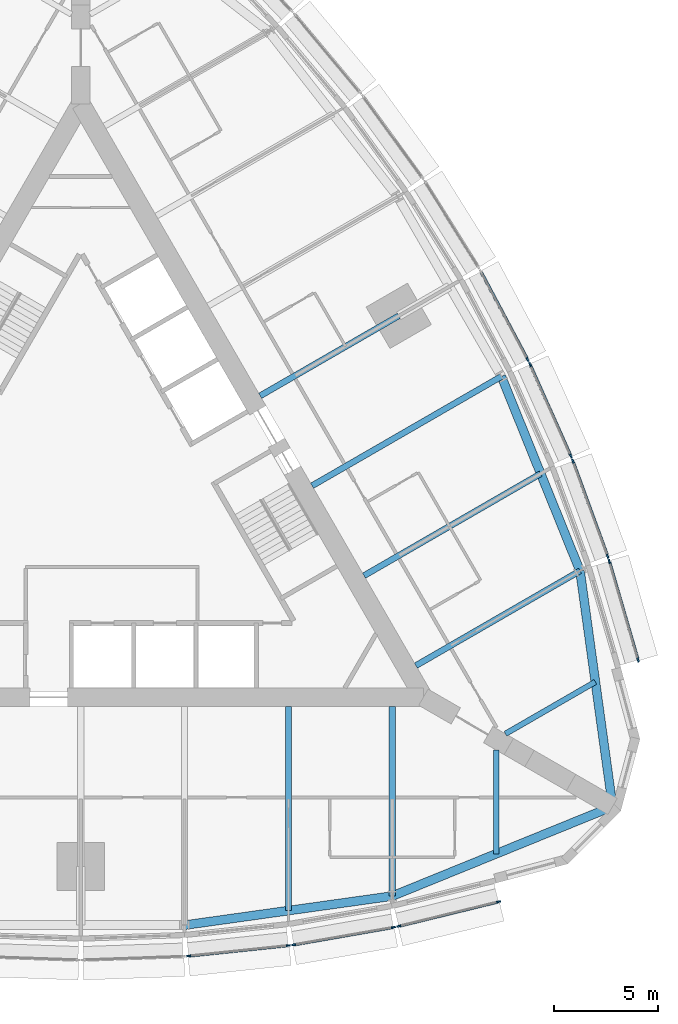
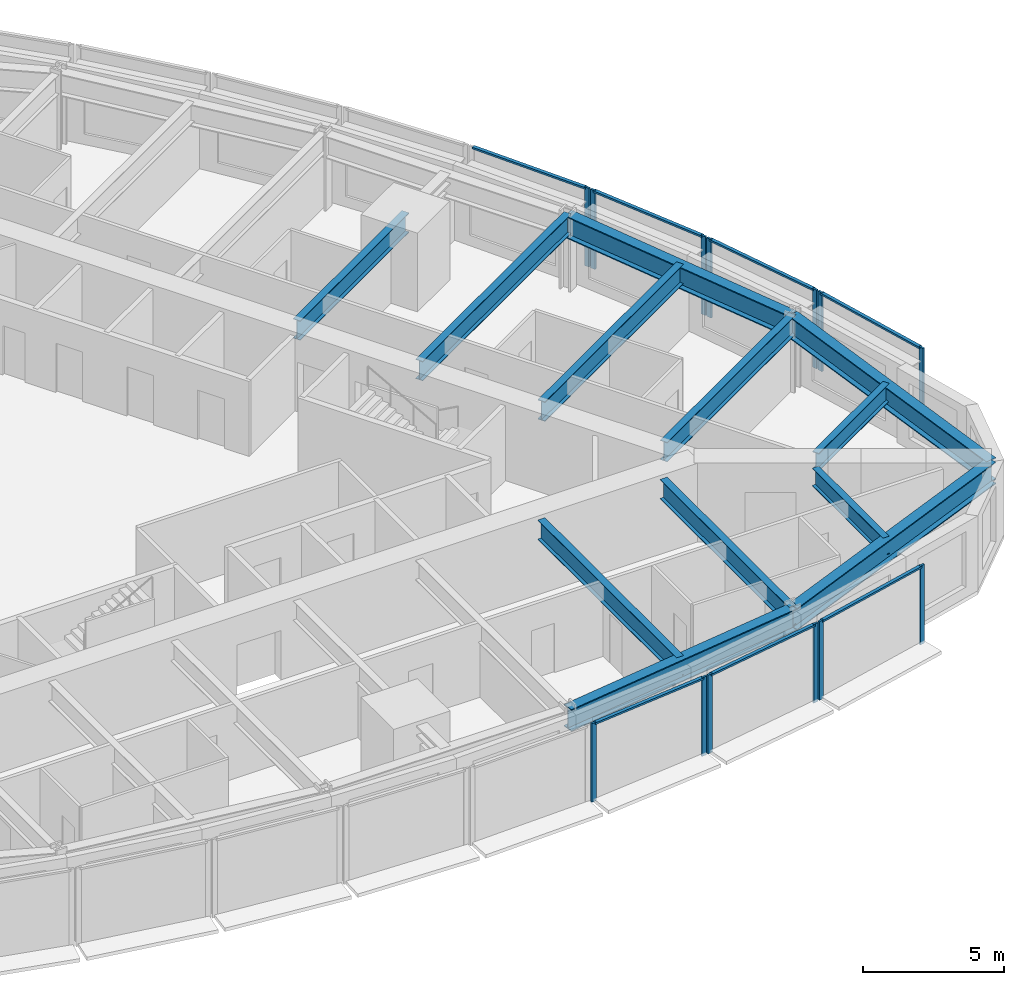
# One storey, part 3 of 14: 20 members, 12 beams, 7 elements without a shape of their own.
"""IFC4 building model written with IfcOpenShell, lengths in metres."""

from ifc_helpers import new_model, si_unit, direction, frame, origin, origin_2d, place, context, subcontext, project, spatial, rectangle, i_section, extrude, material, material_profile, profile_set, type_object, element, aggregate, save


model = new_model("IFC4")

# Units and contexts
model_context = context("Model", 3, precision=1e-05, world=origin(), true_north=direction((0.0, 1.0)))
body_context = subcontext(model_context, "Body", "Model", "MODEL_VIEW")
ifc_project = project(units=[si_unit("LENGTHUNIT", "METRE"), si_unit("AREAUNIT", "SQUARE_METRE"), si_unit("VOLUMEUNIT", "CUBIC_METRE"), si_unit("PLANEANGLEUNIT", "RADIAN"), si_unit("MASSUNIT", "GRAM", prefix="KILO")], contexts=[model_context])

# Site, building, storey
site_placement = place(None, origin())
site = spatial("IfcSite", under=ifc_project, at=site_placement, CompositionType="ELEMENT")
building_placement = place(site_placement, origin())
building = spatial("IfcBuilding", under=site, at=building_placement, Name="Trikona Tower", CompositionType="ELEMENT")
storey_placement = place(building_placement, frame((0.0, 0.0, 182.699951171875)))
storey = spatial("IfcBuildingStorey", under=building, at=storey_placement, Name="L49", CompositionType="ELEMENT", Elevation=182.699951171875)

# Curtain wall, members
ifc_material_1 = material(Name="Aluminium curtain wall system", Category="aluminium")
curtain_wall_type = type_object("IfcCurtainWallType", Name="Curtain wall DS2", PredefinedType="NOTDEFINED", material=ifc_material_1)
curtain_wall_1_placement = place(storey_placement, origin())
curtain_wall_1 = element("IfcCurtainWall", 1, at=curtain_wall_1_placement, inside=storey, type_object=curtain_wall_type, Name="Curtain wall DS2 L49", PredefinedType="NOTDEFINED")
ifc_material_2 = material(Name="Aluminium mullion, pale anodised", Category="aluminium")
ifc_material_profile_1 = material_profile(ifc_material_2, rectangle(XDim=0.080078125, YDim=0.199951171875, at=origin_2d()), Name="MUL-DS2")
ifc_profile_set_1 = profile_set([ifc_material_profile_1], Name="Aluminium mullion, pale anodised")
member_type_1 = type_object("IfcMemberType", Name="Mullion DS2 80x200", PredefinedType="MULLION", material=ifc_profile_set_1)
member_1_placement = place(storey_placement, frame((5.193359375, -21.98486328125, 0.0), z_axis=(0.0, 0.0, 1.0), x_axis=(-0.104433387357, 0.994531883654, 0.0)))
member_1 = element("IfcMember", 2, at=member_1_placement, type_object=member_type_1, Name="CW-DS2 mullion 1", PredefinedType="MULLION", context=body_context, shape_type="SweptSolid", body=[
    extrude(rectangle(XDim=0.080078125, YDim=0.199951171875, at=origin_2d()), origin(), (0.0, 0.0, 1.0), 3.400146484375),
])
member_2_placement = place(storey_placement, frame((9.99462890625, -21.480712890625, 0.0), z_axis=(0.0, 0.0, 1.0), x_axis=(-0.104433387357, 0.994531883654, 0.0)))
member_2 = element("IfcMember", 3, at=member_2_placement, type_object=member_type_1, Name="CW-DS2 mullion 2", PredefinedType="MULLION", context=body_context, shape_type="SweptSolid", body=[
    extrude(rectangle(XDim=0.080078125, YDim=0.199951171875, at=origin_2d()), origin(), (0.0, 0.0, 1.0), 3.400146484375),
])

curtain_wall_2_placement = place(storey_placement, origin())
curtain_wall_2 = element("IfcCurtainWall", 4, at=curtain_wall_2_placement, inside=storey, type_object=curtain_wall_type, Name="Curtain wall DS2 L49", PredefinedType="NOTDEFINED")
member_3_placement = place(storey_placement, frame((10.253662109375, -21.444580078125, 0.0), z_axis=(0.0, 0.0, 1.0), x_axis=(-0.17237739505, 0.985030981074, 0.0)))
member_3 = element("IfcMember", 5, at=member_3_placement, type_object=member_type_1, Name="CW-DS2 mullion 1", PredefinedType="MULLION", context=body_context, shape_type="SweptSolid", body=[
    extrude(rectangle(XDim=0.080078125, YDim=0.199951171875, at=origin_2d()), origin(), (0.0, 0.0, 1.0), 3.400146484375),
])
member_4_placement = place(storey_placement, frame((15.056640625, -20.60400390625, 0.0), z_axis=(0.0, 0.0, 1.0), x_axis=(-0.17237739505, 0.985030981074, 0.0)))
member_4 = element("IfcMember", 6, at=member_4_placement, type_object=member_type_1, Name="CW-DS2 mullion 2", PredefinedType="MULLION", context=body_context, shape_type="SweptSolid", body=[
    extrude(rectangle(XDim=0.080078125, YDim=0.199951171875, at=origin_2d()), origin(), (0.0, 0.0, 1.0), 3.400146484375),
])

curtain_wall_3_placement = place(storey_placement, origin())
curtain_wall_3 = element("IfcCurtainWall", 7, at=curtain_wall_3_placement, inside=storey, type_object=curtain_wall_type, Name="Curtain wall DS2 L49", PredefinedType="NOTDEFINED")
member_5_placement = place(storey_placement, frame((15.311279296875, -20.550537109375, 0.0), z_axis=(0.0, 0.0, 1.0), x_axis=(-0.237970204243, 0.971272455026, 0.0)))
member_5 = element("IfcMember", 8, at=member_5_placement, type_object=member_type_1, Name="CW-DS2 mullion 1", PredefinedType="MULLION", context=body_context, shape_type="SweptSolid", body=[
    extrude(rectangle(XDim=0.080078125, YDim=0.199951171875, at=origin_2d()), origin(), (0.0, 0.0, 1.0), 3.400146484375),
])
member_6_placement = place(storey_placement, frame((20.116943359375, -19.373046875, 0.0), z_axis=(0.0, 0.0, 1.0), x_axis=(-0.237970204243, 0.971272455026, 0.0)))
member_6 = element("IfcMember", 9, at=member_6_placement, type_object=member_type_1, Name="CW-DS2 mullion 2", PredefinedType="MULLION", context=body_context, shape_type="SweptSolid", body=[
    extrude(rectangle(XDim=0.080078125, YDim=0.199951171875, at=origin_2d()), origin(), (0.0, 0.0, 1.0), 3.400146484375),
])

curtain_wall_4_placement = place(storey_placement, origin())
curtain_wall_4 = element("IfcCurtainWall", 10, at=curtain_wall_4_placement, inside=storey, type_object=curtain_wall_type, Name="Curtain wall DS2 L49", PredefinedType="NOTDEFINED")
member_7_placement = place(storey_placement, frame((26.836181640625, -7.7353515625, 0.0), z_axis=(0.0, 0.0, 1.0), x_axis=(-0.96013310152, -0.279543247757, 0.0)))
member_7 = element("IfcMember", 11, at=member_7_placement, type_object=member_type_1, Name="CW-DS2 mullion 1", PredefinedType="MULLION", context=body_context, shape_type="SweptSolid", body=[
    extrude(rectangle(XDim=0.080078125, YDim=0.199951171875, at=origin_2d()), origin(), (0.0, 0.0, 1.0), 3.400146484375),
])
member_8_placement = place(storey_placement, frame((25.452880859375, -2.984619140625, 0.0), z_axis=(0.0, 0.0, 1.0), x_axis=(-0.96013310152, -0.279543247757, 0.0)))
member_8 = element("IfcMember", 12, at=member_8_placement, type_object=member_type_1, Name="CW-DS2 mullion 2", PredefinedType="MULLION", context=body_context, shape_type="SweptSolid", body=[
    extrude(rectangle(XDim=0.080078125, YDim=0.199951171875, at=origin_2d()), origin(), (0.0, 0.0, 1.0), 3.400146484375),
])

curtain_wall_5_placement = place(storey_placement, origin())
curtain_wall_5 = element("IfcCurtainWall", 13, at=curtain_wall_5_placement, inside=storey, type_object=curtain_wall_type, Name="Curtain wall DS2 L49", PredefinedType="NOTDEFINED")
member_9_placement = place(storey_placement, frame((25.371826171875, -2.737548828125, 0.0), z_axis=(0.0, 0.0, 1.0), x_axis=(-0.939253790978, -0.343223420143, 0.0)))
member_9 = element("IfcMember", 14, at=member_9_placement, type_object=member_type_1, Name="CW-DS2 mullion 1", PredefinedType="MULLION", context=body_context, shape_type="SweptSolid", body=[
    extrude(rectangle(XDim=0.080078125, YDim=0.199951171875, at=origin_2d()), origin(), (0.0, 0.0, 1.0), 3.400146484375),
])
member_10_placement = place(storey_placement, frame((23.6982421875, 1.84228515625, 0.0), z_axis=(0.0, 0.0, 1.0), x_axis=(-0.939253790978, -0.343223420143, 0.0)))
member_10 = element("IfcMember", 15, at=member_10_placement, type_object=member_type_1, Name="CW-DS2 mullion 2", PredefinedType="MULLION", context=body_context, shape_type="SweptSolid", body=[
    extrude(rectangle(XDim=0.080078125, YDim=0.199951171875, at=origin_2d()), origin(), (0.0, 0.0, 1.0), 3.400146484375),
])

curtain_wall_6_placement = place(storey_placement, origin())
curtain_wall_6 = element("IfcCurtainWall", 16, at=curtain_wall_6_placement, inside=storey, type_object=curtain_wall_type, Name="Curtain wall DS2 L49", PredefinedType="NOTDEFINED")
member_11_placement = place(storey_placement, frame((23.60009765625, 2.0849609375, 0.0), z_axis=(0.0, 0.0, 1.0), x_axis=(-0.913501208767, -0.406836013132, 0.0)))
member_11 = element("IfcMember", 17, at=member_11_placement, type_object=member_type_1, Name="CW-DS2 mullion 1", PredefinedType="MULLION", context=body_context, shape_type="SweptSolid", body=[
    extrude(rectangle(XDim=0.080078125, YDim=0.199951171875, at=origin_2d()), origin(), (0.0, 0.0, 1.0), 3.400146484375),
])
member_12_placement = place(storey_placement, frame((21.63623046875, 6.494873046875, 0.0), z_axis=(0.0, 0.0, 1.0), x_axis=(-0.913501208767, -0.406836013132, 0.0)))
member_12 = element("IfcMember", 18, at=member_12_placement, type_object=member_type_1, Name="CW-DS2 mullion 2", PredefinedType="MULLION", context=body_context, shape_type="SweptSolid", body=[
    extrude(rectangle(XDim=0.080078125, YDim=0.199951171875, at=origin_2d()), origin(), (0.0, 0.0, 1.0), 3.400146484375),
])

# Curtain wall, member
curtain_wall_7_placement = place(storey_placement, origin())
curtain_wall_7 = element("IfcCurtainWall", 19, at=curtain_wall_7_placement, inside=storey, type_object=curtain_wall_type, Name="Curtain wall DS2 L49", PredefinedType="NOTDEFINED")
member_13_placement = place(storey_placement, frame((21.52099609375, 6.730712890625, 0.0), z_axis=(0.0, 0.0, 1.0), x_axis=(-0.882996107343, -0.469380308937, 0.0)))
member_13 = element("IfcMember", 20, at=member_13_placement, type_object=member_type_1, Name="CW-DS2 mullion 1", PredefinedType="MULLION", context=body_context, shape_type="SweptSolid", body=[
    extrude(rectangle(XDim=0.080078125, YDim=0.199951171875, at=origin_2d()), origin(), (0.0, 0.0, 1.0), 3.400146484375),
])

# Beams
ifc_material_3 = material(Name="Steel ASTM A992 Grade 50", Category="steel")
ifc_material_profile_2 = material_profile(ifc_material_3, i_section(OverallWidth=0.2666015625, OverallDepth=0.76953125, WebThickness=0.015625, FlangeThickness=0.025390625, at=origin_2d()), Name="W30X132")
ifc_profile_set_2 = profile_set([ifc_material_profile_2], Name="Steel ASTM A992 Grade 50")
beam_type_1 = type_object("IfcBeamType", Name="Steel beam W30x132 (wedge)", PredefinedType="BEAM", material=ifc_profile_set_2)
beam_1_placement = place(storey_placement, frame((20.0, -12.066650390625, 2.850341796875), z_axis=(0.0, -1.0, 0.0), x_axis=(1.0, 0.0, 0.0)))
element("IfcBeam", 21, at=beam_1_placement, inside=storey, type_object=beam_type_1, Name="Floor beam L50 F1 u20", PredefinedType="BEAM", context=body_context, shape_type="SweptSolid", body=[
    extrude(i_section(OverallWidth=0.2666015625, OverallDepth=0.76953125, WebThickness=0.015625, FlangeThickness=0.025390625, at=origin_2d()), origin(), (0.0, 0.0, 1.0), 5.00048828125),
])
beam_2_placement = place(storey_placement, frame((20.449951171875, -11.287109375, 2.850341796875), z_axis=(0.866038434829, 0.49997742889, 0.0), x_axis=(-0.49997742889, 0.866038434829, 0.0)))
element("IfcBeam", 22, at=beam_2_placement, inside=storey, type_object=beam_type_1, Name="Floor beam L50 F2 u-20", PredefinedType="BEAM", context=body_context, shape_type="SweptSolid", body=[
    extrude(i_section(OverallWidth=0.2666015625, OverallDepth=0.76953125, WebThickness=0.015625, FlangeThickness=0.025390625, at=origin_2d()), origin(), (0.0, 0.0, 1.0), 5.000732421875),
])
ifc_material_4 = material(Name="Steel ASTM A992 Grade 50", Category="steel")
ifc_material_profile_3 = material_profile(ifc_material_4, i_section(OverallWidth=0.2919921875, OverallDepth=0.845703125, WebThickness=0.015380859375, FlangeThickness=0.0244140625, at=origin_2d()), Name="W33X141")
ifc_profile_set_3 = profile_set([ifc_material_profile_3], Name="Steel ASTM A992 Grade 50")
beam_type_2 = type_object("IfcBeamType", Name="Steel beam W33x141 (radial typ)", PredefinedType="BEAM", material=ifc_profile_set_3)
beam_3_placement = place(storey_placement, frame((10.0, -9.976318359375, 2.812255859375), z_axis=(0.0, -1.0, 0.0), x_axis=(1.0, 0.0, 0.0)))
element("IfcBeam", 23, at=beam_3_placement, inside=storey, type_object=beam_type_2, Name="Floor beam L50 F1 u10", PredefinedType="BEAM", context=body_context, shape_type="SweptSolid", body=[
    extrude(i_section(OverallWidth=0.2919921875, OverallDepth=0.845703125, WebThickness=0.015380859375, FlangeThickness=0.0244140625, at=origin_2d()), origin(), (0.0, 0.0, 1.0), 9.823974609375),
])
beam_4_placement = place(storey_placement, frame((15.0, -9.976318359375, 2.812255859375), z_axis=(0.0, -1.0, 0.0), x_axis=(1.0, 0.0, 0.0)))
element("IfcBeam", 24, at=beam_4_placement, inside=storey, type_object=beam_type_2, Name="Floor beam L50 F1 u15", PredefinedType="BEAM", context=body_context, shape_type="SweptSolid", body=[
    extrude(i_section(OverallWidth=0.2919921875, OverallDepth=0.845703125, WebThickness=0.015380859375, FlangeThickness=0.0244140625, at=origin_2d()), origin(), (0.0, 0.0, 1.0), 9.123779296875),
])
beam_5_placement = place(storey_placement, frame((16.1396484375, -8.002197265625, 2.812255859375), z_axis=(0.866024725532, 0.500001174766, 0.0), x_axis=(-0.500001174766, 0.866024725532, 0.0)))
element("IfcBeam", 25, at=beam_5_placement, inside=storey, type_object=beam_type_2, Name="Floor beam L50 F2 u-15", PredefinedType="BEAM", context=body_context, shape_type="SweptSolid", body=[
    extrude(i_section(OverallWidth=0.2919921875, OverallDepth=0.845703125, WebThickness=0.015380859375, FlangeThickness=0.0244140625, at=origin_2d()), origin(), (0.0, 0.0, 1.0), 9.1240234375),
])
beam_6_placement = place(storey_placement, frame((13.6396484375, -3.672119140625, 2.812255859375), z_axis=(0.866020046725, 0.500009278584, 0.0), x_axis=(-0.500009278584, 0.866020046725, 0.0)))
element("IfcBeam", 26, at=beam_6_placement, inside=storey, type_object=beam_type_2, Name="Floor beam L50 F2 u-10", PredefinedType="BEAM", context=body_context, shape_type="SweptSolid", body=[
    extrude(i_section(OverallWidth=0.2919921875, OverallDepth=0.845703125, WebThickness=0.015380859375, FlangeThickness=0.0244140625, at=origin_2d()), origin(), (0.0, 0.0, 1.0), 9.823974609375),
])
beam_7_placement = place(storey_placement, frame((11.1396484375, 0.657958984375, 2.812255859375), z_axis=(0.866026035623, 0.499998905622, 0.0), x_axis=(-0.499998905622, 0.866026035623, 0.0)))
element("IfcBeam", 27, at=beam_7_placement, inside=storey, type_object=beam_type_2, Name="Floor beam L50 F2 u-5", PredefinedType="BEAM", context=body_context, shape_type="SweptSolid", body=[
    extrude(i_section(OverallWidth=0.2919921875, OverallDepth=0.845703125, WebThickness=0.015380859375, FlangeThickness=0.0244140625, at=origin_2d()), origin(), (0.0, 0.0, 1.0), 10.52392578125),
])
beam_8_placement = place(storey_placement, frame((8.6396484375, 4.988037109375, 2.812255859375), z_axis=(0.866017246294, 0.500014128921, 0.0), x_axis=(-0.500014128921, 0.866017246294, 0.0)))
element("IfcBeam", 28, at=beam_8_placement, inside=storey, type_object=beam_type_2, Name="Floor beam L50 F2 u0", PredefinedType="BEAM", context=body_context, shape_type="SweptSolid", body=[
    extrude(i_section(OverallWidth=0.2919921875, OverallDepth=0.845703125, WebThickness=0.015380859375, FlangeThickness=0.0244140625, at=origin_2d()), origin(), (0.0, 0.0, 1.0), 7.704345703125),
])
ifc_material_5 = material(Name="Steel ASTM A992 Grade 50", Category="steel")
ifc_material_profile_4 = material_profile(ifc_material_5, i_section(OverallWidth=0.424072265625, OverallDepth=0.947509765625, WebThickness=0.02392578125, FlangeThickness=0.042724609375, at=origin_2d()), Name="W36X302")
ifc_profile_set_4 = profile_set([ifc_material_profile_4], Name="Steel ASTM A992 Grade 50")
beam_type_3 = type_object("IfcBeamType", Name="Steel beam W36x302 (spandrel)", PredefinedType="SPANDREL", material=ifc_profile_set_4)
beam_9_placement = place(storey_placement, frame((5.0, -20.500244140625, 2.76123046875), z_axis=(0.990339754644, 0.13866207258, 0.0), x_axis=(-0.13866207258, 0.990339754644, 0.0)))
element("IfcBeam", 29, at=beam_9_placement, inside=storey, type_object=beam_type_3, Name="Spandrel beam L50 F1-4", PredefinedType="SPANDREL", context=body_context, shape_type="SweptSolid", body=[
    extrude(i_section(OverallWidth=0.424072265625, OverallDepth=0.947509765625, WebThickness=0.02392578125, FlangeThickness=0.042724609375, at=origin_2d()), origin(), (0.0, 0.0, 1.0), 10.09765625),
])
for number, where, z_axis, x_axis, name in (
    (30, (15.0, -19.10009765625, 2.76123046875), (0.926359695662, 0.376640032728, 0.0), (-0.376640032728, 0.926359695662, 0.0), "Spandrel beam L50 F1-5"),
    (31, (25.6103515625, -14.7861328125, 2.76123046875), (-0.136991535842, 0.990572218017, 0.0), (-0.990572218017, -0.136991535842, 0.0), "Spandrel beam L50 F2-1"),
):
    element("IfcBeam", number, at=place(storey_placement, frame(where, z_axis=z_axis, x_axis=x_axis)), inside=storey, type_object=beam_type_3, Name=name, PredefinedType="SPANDREL", context=body_context, shape_type="SweptSolid", body=[
        extrude(i_section(OverallWidth=0.424072265625, OverallDepth=0.947509765625, WebThickness=0.02392578125, FlangeThickness=0.042724609375, at=origin_2d()), origin(), (0.0, 0.0, 1.0), 11.453857421875),
    ])
beam_10_placement = place(storey_placement, frame((24.041259765625, -3.440185546875, 2.76123046875), z_axis=(-0.375106193787, 0.926981846307, 0.0), x_axis=(-0.926981846307, -0.375106193787, 0.0)))
element("IfcBeam", 32, at=beam_10_placement, inside=storey, type_object=beam_type_3, Name="Spandrel beam L50 F2-2", PredefinedType="SPANDREL", context=body_context, shape_type="SweptSolid", body=[
    extrude(i_section(OverallWidth=0.424072265625, OverallDepth=0.947509765625, WebThickness=0.02392578125, FlangeThickness=0.042724609375, at=origin_2d()), origin(), (0.0, 0.0, 1.0), 10.097412109375),
])

# Member
ifc_material_6 = material(Name="Aluminium transom, pale anodised", Category="aluminium")
ifc_material_profile_5 = material_profile(ifc_material_6, rectangle(XDim=0.139892578125, YDim=0.080078125, at=origin_2d()), Name="TRN-DS2")
ifc_profile_set_5 = profile_set([ifc_material_profile_5], Name="Aluminium transom, pale anodised")
member_type_2 = type_object("IfcMemberType", Name="Transom DS2 80x140", PredefinedType="USERDEFINED", material=ifc_profile_set_5)
member_14_placement = place(storey_placement, frame((5.233154296875, -21.980712890625, 3.360107421875), z_axis=(0.99453106441, 0.104441188822, 0.0), x_axis=(-0.104441188822, 0.99453106441, 0.0)))
member_14 = element("IfcMember", 33, at=member_14_placement, type_object=member_type_2, Name="CW-DS2 transom 1.1", ObjectType="TRANSOM", PredefinedType="USERDEFINED", context=body_context, shape_type="SweptSolid", body=[
    extrude(rectangle(XDim=0.139892578125, YDim=0.080078125, at=origin_2d()), origin(), (0.0, 0.0, 1.0), 4.74755859375),
])

aggregate(curtain_wall_1, [member_1, member_2, member_14])

member_15_placement = place(storey_placement, frame((10.29296875, -21.4375, 3.360107421875), z_axis=(0.98503262804, 0.172367983387, 0.0), x_axis=(-0.172367983387, 0.98503262804, 0.0)))
member_15 = element("IfcMember", 34, at=member_15_placement, type_object=member_type_2, Name="CW-DS2 transom 1.1", ObjectType="TRANSOM", PredefinedType="USERDEFINED", context=body_context, shape_type="SweptSolid", body=[
    extrude(rectangle(XDim=0.139892578125, YDim=0.080078125, at=origin_2d()), origin(), (0.0, 0.0, 1.0), 4.7958984375),
])

aggregate(curtain_wall_2, [member_3, member_4, member_15])

member_16_placement = place(storey_placement, frame((15.35009765625, -20.541015625, 3.360107421875), z_axis=(0.971270583303, 0.237977843528, 0.0), x_axis=(-0.237977843528, 0.971270583303, 0.0)))
member_16 = element("IfcMember", 35, at=member_16_placement, type_object=member_type_2, Name="CW-DS2 transom 1.1", ObjectType="TRANSOM", PredefinedType="USERDEFINED", context=body_context, shape_type="SweptSolid", body=[
    extrude(rectangle(XDim=0.139892578125, YDim=0.080078125, at=origin_2d()), origin(), (0.0, 0.0, 1.0), 4.867919921875),
])

aggregate(curtain_wall_3, [member_5, member_6, member_16])

member_17_placement = place(storey_placement, frame((26.824951171875, -7.69677734375, 3.360107421875), z_axis=(-0.279566628153, 0.960126293996, 0.0), x_axis=(-0.960126293996, -0.279566628153, 0.0)))
member_17 = element("IfcMember", 36, at=member_17_placement, type_object=member_type_2, Name="CW-DS2 transom 1.1", ObjectType="TRANSOM", PredefinedType="USERDEFINED", context=body_context, shape_type="SweptSolid", body=[
    extrude(rectangle(XDim=0.139892578125, YDim=0.080078125, at=origin_2d()), origin(), (0.0, 0.0, 1.0), 4.86767578125),
])

aggregate(curtain_wall_4, [member_7, member_8, member_17])

member_18_placement = place(storey_placement, frame((25.358154296875, -2.699951171875, 3.360107421875), z_axis=(-0.343205907674, 0.939260190223, 0.0), x_axis=(-0.939260190223, -0.343205907674, 0.0)))
member_18 = element("IfcMember", 37, at=member_18_placement, type_object=member_type_2, Name="CW-DS2 transom 1.1", ObjectType="TRANSOM", PredefinedType="USERDEFINED", context=body_context, shape_type="SweptSolid", body=[
    extrude(rectangle(XDim=0.139892578125, YDim=0.080078125, at=origin_2d()), origin(), (0.0, 0.0, 1.0), 4.7958984375),
])

aggregate(curtain_wall_5, [member_9, member_10, member_18])

member_19_placement = place(storey_placement, frame((23.583740234375, 2.12158203125, 3.360107421875), z_axis=(-0.406839769607, 0.913499535778, 0.0), x_axis=(-0.913499535778, -0.406839769607, 0.0)))
member_19 = element("IfcMember", 38, at=member_19_placement, type_object=member_type_2, Name="CW-DS2 transom 1.1", ObjectType="TRANSOM", PredefinedType="USERDEFINED", context=body_context, shape_type="SweptSolid", body=[
    extrude(rectangle(XDim=0.139892578125, YDim=0.080078125, at=origin_2d()), origin(), (0.0, 0.0, 1.0), 4.747314453125),
])

aggregate(curtain_wall_6, [member_11, member_12, member_19])

member_20_placement = place(storey_placement, frame((21.502197265625, 6.76611328125, 3.360107421875), z_axis=(-0.469364343408, 0.883004594063, 0.0), x_axis=(-0.883004594063, -0.469364343408, 0.0)))
member_20 = element("IfcMember", 39, at=member_20_placement, type_object=member_type_2, Name="CW-DS2 transom 1.1", ObjectType="TRANSOM", PredefinedType="USERDEFINED", context=body_context, shape_type="SweptSolid", body=[
    extrude(rectangle(XDim=0.139892578125, YDim=0.080078125, at=origin_2d()), origin(), (0.0, 0.0, 1.0), 4.722900390625),
])

aggregate(curtain_wall_7, [member_13, member_20])

save(model, "model.ifc")
